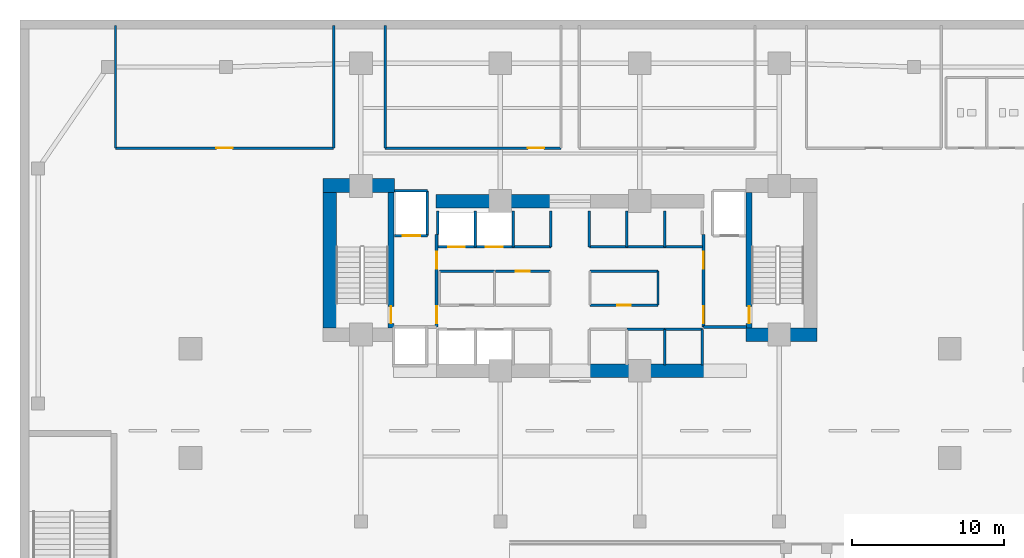
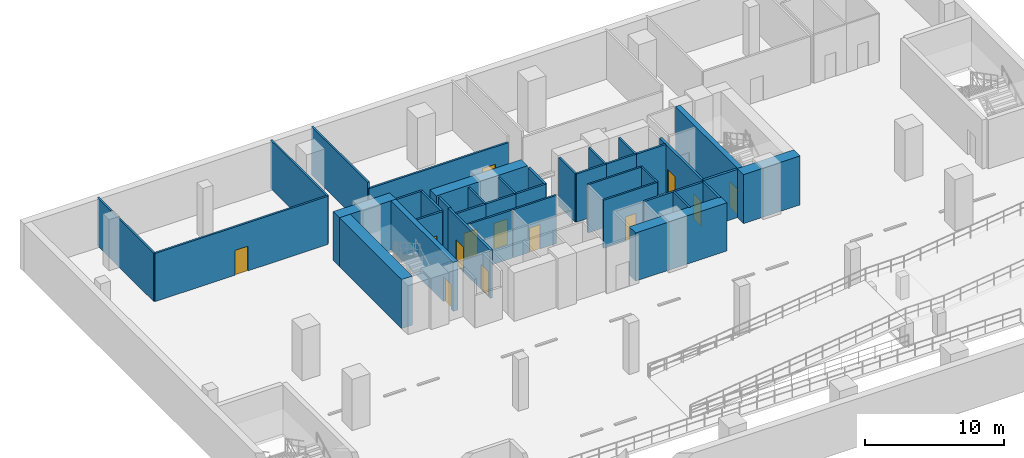
# One storey, part 5 of 13: 40 walls, 13 doors, 13 openings.
"""IFC4 building model written with IfcOpenShell, lengths in metres."""

from ifc_helpers import new_model, si_unit, direction, frame, frame_2d, origin, place, context, subcontext, project, spatial, rectangle, extrude, material, layer, layer_set, type_object, element, fill, save


model = new_model("IFC4")

# Units and contexts
model_context = context("Model", 3, precision=1e-05, world=origin(), true_north=direction((0.0, 1.0)))
body_context = subcontext(model_context, "Body", "Model", "MODEL_VIEW")
ifc_project = project(units=[si_unit("LENGTHUNIT", "METRE"), si_unit("AREAUNIT", "SQUARE_METRE"), si_unit("VOLUMEUNIT", "CUBIC_METRE"), si_unit("PLANEANGLEUNIT", "RADIAN"), si_unit("MASSUNIT", "GRAM", prefix="KILO")], contexts=[model_context])

# Site, building, storey
site_placement = place(None, origin())
site = spatial("IfcSite", under=ifc_project, at=site_placement, CompositionType="ELEMENT")
building_placement = place(site_placement, origin())
building = spatial("IfcBuilding", under=site, at=building_placement, Name="Zuhayl Quay Hotel", CompositionType="ELEMENT")
storey_placement = place(building_placement, frame((0.0, 0.0, -4.5)))
storey = spatial("IfcBuildingStorey", under=building, at=storey_placement, Name="B1", CompositionType="ELEMENT", Elevation=-4.5)

# Walls
ifc_material_1 = material(Name="Concrete C70/85", Category="concrete")
ifc_layer_1 = layer(ifc_material_1, 0.89990234375, Name="Concrete C70/85", Category="concrete")
ifc_layer_set_1 = layer_set([ifc_layer_1], Name="Concrete C70/85")
wall_type_1 = type_object("IfcWallType", Name="WL_CORE_900", PredefinedType="SHEAR", material=ifc_layer_set_1)
wall_1_placement = place(storey_placement, frame((-16.31005859375, 14.3798828125, 0.0), z_axis=(0.0, 0.0, 1.0), x_axis=(1.0, 0.0, 0.0)))
element("IfcWall", 1, at=wall_1_placement, inside=storey, type_object=wall_type_1, Name="B1 Core Shear Wall CW_NW", PredefinedType="SHEAR", context=body_context, shape_type="SweptSolid", body=[
    extrude(rectangle(XDim=4.7099609375, YDim=0.89990234375, at=frame_2d((2.35498046875, 0.0))), origin(), (0.0, 0.0, 1.0), 4.31005859375),
])
wall_2_placement = place(storey_placement, frame((-15.860107421875, 4.969970703125, 0.0), z_axis=(0.0, 0.0, 1.0), x_axis=(0.0, 1.0, 0.0)))
element("IfcWall", 2, at=wall_2_placement, inside=storey, type_object=wall_type_1, Name="B1 Core Shear Wall CW_W", PredefinedType="SHEAR", context=body_context, shape_type="SweptSolid", body=[
    extrude(rectangle(XDim=8.9599609375, YDim=0.89990234375, at=frame_2d((4.47998046875, 0.0))), origin(), (0.0, 0.0, 1.0), 4.31005859375),
])
wall_3_placement = place(storey_placement, frame((11.60009765625, 4.52001953125, 0.0), z_axis=(0.0, 0.0, 1.0), x_axis=(1.0, 0.0, 0.0)))
element("IfcWall", 3, at=wall_3_placement, inside=storey, type_object=wall_type_1, Name="B1 Core Shear Wall CW_SE", PredefinedType="SHEAR", context=body_context, shape_type="SweptSolid", body=[
    extrude(rectangle(XDim=4.7099609375, YDim=0.89990234375, at=frame_2d((2.35498046875, 0.0))), origin(), (0.0, 0.0, 1.0), 4.31005859375),
])
for number, where, z_axis, x_axis, name in (
    (4, (1.25, 2.14990234375, 0.0), (0.0, 0.0, 1.0), (1.0, 0.0, 0.0), "B1 Core Shear Wall CW_SC_E"),
    (5, (-8.85009765625, 13.35009765625, 0.0), (0.0, 0.0, 1.0), (1.0, 0.0, 0.0), "B1 Core Shear Wall CW_NC_W"),
):
    element("IfcWall", number, at=place(storey_placement, frame(where, z_axis=z_axis, x_axis=x_axis)), inside=storey, type_object=wall_type_1, Name=name, PredefinedType="SHEAR", context=body_context, shape_type="SweptSolid", body=[
        extrude(rectangle(XDim=7.60009765625, YDim=0.89990234375, at=frame_2d((3.800048828125, 0.0))), origin(), (0.0, 0.0, 1.0), 4.239990234375),
    ])

# Wall, opening, door
ifc_material_2 = material(Name="Acoustic Gypsum Partition STC-58")
ifc_layer_2 = layer(ifc_material_2, 0.14990234375, Name="Acoustic Gypsum Partition STC-58")
ifc_layer_set_2 = layer_set([ifc_layer_2], Name="Acoustic Gypsum Partition STC-58")
wall_type_2 = type_object("IfcWallType", Name="WL_PART_150", PredefinedType="PARTITIONING", material=ifc_layer_set_2)
wall_4_placement = place(storey_placement, frame((-4.929931640625, 8.719970703125, 0.0), z_axis=(0.0, 0.0, 1.0), x_axis=(1.0, 0.0, 0.0)))
wall_4 = element("IfcWall", 6, at=wall_4_placement, inside=storey, type_object=wall_type_2, Name="B1 Partition IW_B1_CORE_BM_N", PredefinedType="PARTITIONING", context=body_context, shape_type="SweptSolid", body=[
    extrude(rectangle(XDim=3.60986328125, YDim=0.14990234375, at=frame_2d((1.804931640625, 0.0))), origin(), (0.0, 0.0, 1.0), 4.239990234375),
])
opening_1_placement = place(wall_4_placement, frame((1.35498046875, 0.0, 0.0)))
opening_1 = element("IfcOpeningElement", 7, at=opening_1_placement, cuts=wall_4, Name="Opening D06", PredefinedType="OPENING", context=body_context, shape_type="SweptSolid", body=[
    extrude(rectangle(XDim=0.89990234375, YDim=2.14990234375, at=frame_2d((0.449951171875, 1.074951171875))), frame((0.0, 0.0849609375, 0.0), z_axis=(0.0, -1.0, 0.0), x_axis=(1.0, 0.0, 0.0)), (0.0, 0.0, 1.0), 0.169921875),
])
ifc_material_3 = material(Name="Steel ASTM A992 Grade 50", Category="steel")
door_type_1 = type_object("IfcDoorType", Name="DR_INT_900", OperationType="NOTDEFINED", PredefinedType="DOOR", material=ifc_material_3)
door_1_placement = place(opening_1_placement, origin())
door_1 = element("IfcDoor", 8, at=door_1_placement, inside=storey, type_object=door_type_1, Name="B1 Telecom and BMS Closet Door", OperationType="SINGLE_SWING_LEFT", OverallHeight=2.14990234375, OverallWidth=0.89990234375, PredefinedType="DOOR", context=body_context, shape_type="SweptSolid", body=[
    extrude(rectangle(XDim=0.89990234375, YDim=2.14990234375, at=frame_2d((0.449951171875, 1.074951171875))), frame((0.0, 0.02490234375, 0.0), z_axis=(0.0, -1.0, 0.0), x_axis=(1.0, 0.0, 0.0)), (0.0, 0.0, 1.0), 0.050048828125),
])
fill(opening_1, door_1)

wall_5_placement = place(storey_placement, frame((1.320068359375, 6.47998046875, 0.0), z_axis=(0.0, 0.0, 1.0), x_axis=(1.0, 0.0, 0.0)))
wall_5 = element("IfcWall", 9, at=wall_5_placement, inside=storey, type_object=wall_type_2, Name="B1 Partition IW_B1_CORE_PN_S", PredefinedType="PARTITIONING", context=body_context, shape_type="SweptSolid", body=[
    extrude(rectangle(XDim=4.489990234375, YDim=0.14990234375, at=frame_2d((2.2451171875, 0.0))), origin(), (0.0, 0.0, 1.0), 4.239990234375),
])
opening_2_placement = place(wall_5_placement, frame((1.794921875, 0.0, 0.0)))
opening_2 = element("IfcOpeningElement", 10, at=opening_2_placement, cuts=wall_5, Name="Opening D06", PredefinedType="OPENING", context=body_context, shape_type="SweptSolid", body=[
    extrude(rectangle(XDim=0.89990234375, YDim=2.14990234375, at=frame_2d((0.449951171875, 1.074951171875))), frame((0.0, 0.0849609375, 0.0), z_axis=(0.0, -1.0, 0.0), x_axis=(1.0, 0.0, 0.0)), (0.0, 0.0, 1.0), 0.169921875),
])
door_2_placement = place(opening_2_placement, origin())
door_2 = element("IfcDoor", 11, at=door_2_placement, inside=storey, type_object=door_type_1, Name="B1 Core Ice and Pantry Room Door", OperationType="SINGLE_SWING_RIGHT", OverallHeight=2.14990234375, OverallWidth=0.89990234375, PredefinedType="DOOR", context=body_context, shape_type="SweptSolid", body=[
    extrude(rectangle(XDim=0.89990234375, YDim=2.14990234375, at=frame_2d((0.449951171875, 1.074951171875))), frame((0.0, 0.02490234375, 0.0), z_axis=(0.0, -1.0, 0.0), x_axis=(1.0, 0.0, 0.0)), (0.0, 0.0, 1.0), 0.050048828125),
])
fill(opening_2, door_2)

# Walls
wall_6_placement = place(storey_placement, frame((-8.610107421875, 8.719970703125, 0.0), z_axis=(0.0, 0.0, 1.0), x_axis=(1.0, 0.0, 0.0)))
element("IfcWall", 12, at=wall_6_placement, inside=storey, type_object=wall_type_2, Name="B1 Partition IW_B1_CORE_SW_N", PredefinedType="PARTITIONING", context=body_context, shape_type="SweptSolid", body=[
    extrude(rectangle(XDim=3.6201171875, YDim=0.14990234375, at=frame_2d((1.81005859375, 0.0))), origin(), (0.0, 0.0, 1.0), 4.239990234375),
])
wall_7_placement = place(storey_placement, frame((1.320068359375, 8.719970703125, 0.0), z_axis=(0.0, 0.0, 1.0), x_axis=(1.0, 0.0, 0.0)))
element("IfcWall", 13, at=wall_7_placement, inside=storey, type_object=wall_type_2, Name="B1 Partition IW_B1_CORE_PN_N", PredefinedType="PARTITIONING", context=body_context, shape_type="SweptSolid", body=[
    extrude(rectangle(XDim=4.489990234375, YDim=0.14990234375, at=frame_2d((2.2451171875, 0.0))), origin(), (0.0, 0.0, 1.0), 4.239990234375),
])
wall_8_placement = place(storey_placement, frame((5.81005859375, 6.47998046875, 0.0), z_axis=(0.0, 0.0, 1.0), x_axis=(0.0, 1.0, 0.0)))
element("IfcWall", 14, at=wall_8_placement, inside=storey, type_object=wall_type_2, Name="B1 Partition IW_B1_CORE_PN_E", PredefinedType="PARTITIONING", context=body_context, shape_type="SweptSolid", body=[
    extrude(rectangle(XDim=2.239990234375, YDim=0.14990234375, at=frame_2d((1.1201171875, 0.0))), origin(), (0.0, 0.0, 1.0), 4.239990234375),
])
for number, where, z_axis, x_axis, name in (
    (15, (-30.0, 16.85009765625, 0.0), (0.0, 0.0, 1.0), (0.0, 1.0, 0.0), "B1 Partition IW_B1_LAUNDRY_W"),
    (16, (-15.60009765625, 16.85009765625, 0.0), (0.0, 0.0, 1.0), (0.0, 1.0, 0.0), "B1 Partition IW_B1_LAUNDRY_E"),
    (17, (-12.199951171875, 16.85009765625, 0.0), (0.0, 0.0, 1.0), (0.0, 1.0, 0.0), "B1 Partition IW_B1_KSTORE_W"),
):
    element("IfcWall", number, at=place(storey_placement, frame(where, z_axis=z_axis, x_axis=x_axis)), inside=storey, type_object=wall_type_2, Name=name, PredefinedType="PARTITIONING", context=body_context, shape_type="SweptSolid", body=[
        extrude(rectangle(XDim=8.08984375, YDim=0.14990234375, at=frame_2d((4.044921875, 0.0))), origin(), (0.0, 0.0, 1.0), 4.239990234375),
    ])

# Wall, opening, door
ifc_layer_3 = layer(ifc_material_2, 0.159912109375, Name="Acoustic Gypsum Partition STC-58")
ifc_layer_set_3 = layer_set([ifc_layer_3], Name="Acoustic Gypsum Partition STC-58")
wall_type_3 = type_object("IfcWallType", Name="WL_PART_CORR_160", PredefinedType="PARTITIONING", material=ifc_layer_set_3)
wall_9_placement = place(storey_placement, frame((-30.0, 16.85009765625, 0.0), z_axis=(0.0, 0.0, 1.0), x_axis=(1.0, 0.0, 0.0)))
wall_9 = element("IfcWall", 18, at=wall_9_placement, inside=storey, type_object=wall_type_3, Name="B1 Partition IW_B1_LAUNDRY_S", PredefinedType="PARTITIONING", context=body_context, shape_type="SweptSolid", body=[
    extrude(rectangle(XDim=14.39990234375, YDim=0.159912109375, at=frame_2d((7.199951171875, 0.0))), origin(), (0.0, 0.0, 1.0), 4.239990234375),
])
opening_3_placement = place(wall_9_placement, frame((6.659912109375, 0.0, 0.0)))
opening_3 = element("IfcOpeningElement", 19, at=opening_3_placement, cuts=wall_9, Name="Opening D05A", PredefinedType="OPENING", context=body_context, shape_type="SweptSolid", body=[
    extrude(rectangle(XDim=1.080078125, YDim=2.179931640625, at=frame_2d((0.5400390625, 1.08984375))), frame((0.0, 0.08984375, 0.0), z_axis=(0.0, -1.0, 0.0), x_axis=(1.0, 0.0, 0.0)), (0.0, 0.0, 1.0), 0.179931640625),
])
ifc_material_4 = material(Name="Solid Walnut Acoustic Fire Door")
door_type_2 = type_object("IfcDoorType", Name="DR_INT_1100", OperationType="NOTDEFINED", PredefinedType="DOOR", material=ifc_material_4)
door_3_placement = place(opening_3_placement, origin())
door_3 = element("IfcDoor", 20, at=door_3_placement, inside=storey, type_object=door_type_2, Name="B1 Central Hotel Laundry Plant Room Door", OperationType="SINGLE_SWING_RIGHT", OverallHeight=2.179931640625, OverallWidth=1.080078125, PredefinedType="DOOR", context=body_context, shape_type="SweptSolid", body=[
    extrude(rectangle(XDim=1.080078125, YDim=2.179931640625, at=frame_2d((0.5400390625, 1.08984375))), frame((0.0, 0.02490234375, 0.0), z_axis=(0.0, -1.0, 0.0), x_axis=(1.0, 0.0, 0.0)), (0.0, 0.0, 1.0), 0.050048828125),
])
fill(opening_3, door_3)

wall_10_placement = place(storey_placement, frame((-12.199951171875, 16.85009765625, 0.0), z_axis=(0.0, 0.0, 1.0), x_axis=(1.0, 0.0, 0.0)))
wall_10 = element("IfcWall", 21, at=wall_10_placement, inside=storey, type_object=wall_type_3, Name="B1 Partition IW_B1_KSTORE_S", PredefinedType="PARTITIONING", context=body_context, shape_type="SweptSolid", body=[
    extrude(rectangle(XDim=11.599853515625, YDim=0.159912109375, at=frame_2d((5.7998046875, 0.0))), origin(), (0.0, 0.0, 1.0), 3.70703125),
])
opening_4_placement = place(wall_10_placement, frame((9.409912109375, 0.0, 0.0)))
opening_4 = element("IfcOpeningElement", 22, at=opening_4_placement, cuts=wall_10, Name="Opening D05A", PredefinedType="OPENING", context=body_context, shape_type="SweptSolid", body=[
    extrude(rectangle(XDim=1.080078125, YDim=2.179931640625, at=frame_2d((0.5400390625, 1.08984375))), frame((0.0, 0.08984375, 0.0), z_axis=(0.0, -1.0, 0.0), x_axis=(1.0, 0.0, 0.0)), (0.0, 0.0, 1.0), 0.179931640625),
])
door_4_placement = place(opening_4_placement, origin())
door_4 = element("IfcDoor", 23, at=door_4_placement, inside=storey, type_object=door_type_2, Name="B1 Culinary Cold and Dry Stores Door", OperationType="SINGLE_SWING_LEFT", OverallHeight=2.179931640625, OverallWidth=1.080078125, PredefinedType="DOOR", context=body_context, shape_type="SweptSolid", body=[
    extrude(rectangle(XDim=1.080078125, YDim=2.179931640625, at=frame_2d((0.5400390625, 1.08984375))), frame((0.0, 0.02490234375, 0.0), z_axis=(0.0, -1.0, 0.0), x_axis=(1.0, 0.0, 0.0)), (0.0, 0.0, 1.0), 0.050048828125),
])
fill(opening_4, door_4)

ifc_material_5 = material(Name="Gypsum Fireboard Assembly EI-90")
ifc_layer_4 = layer(ifc_material_5, 0.1650390625, Name="Gypsum Fireboard Assembly EI-90")
ifc_layer_set_4 = layer_set([ifc_layer_4], Name="Gypsum Fireboard Assembly EI-90")
wall_type_4 = type_object("IfcWallType", Name="WL_PART_SHAFT_160", PredefinedType="PARTITIONING", material=ifc_layer_set_4)
wall_11_placement = place(storey_placement, frame((-11.580078125, 11.070068359375, 0.0), z_axis=(0.0, 0.0, 1.0), x_axis=(1.0, 0.0, 0.0)))
wall_11 = element("IfcWall", 24, at=wall_11_placement, inside=storey, type_object=wall_type_4, Name="B1 Partition IW_B1_SH_FL1_F", PredefinedType="PARTITIONING", context=body_context, shape_type="SweptSolid", body=[
    extrude(rectangle(XDim=2.16015625, YDim=0.1650390625, at=frame_2d((1.080078125, 0.0))), origin(), (0.0, 0.0, 1.0), 4.239990234375),
])
opening_5_placement = place(wall_11_placement, frame((0.530029296875, 0.0, 0.0)))
opening_5 = element("IfcOpeningElement", 25, at=opening_5_placement, cuts=wall_11, Name="Opening LD2", PredefinedType="OPENING", context=body_context, shape_type="SweptSolid", body=[
    extrude(rectangle(XDim=1.14990234375, YDim=2.25, at=frame_2d((0.574951171875, 1.125))), frame((0.0, 0.092529296875, 0.0), z_axis=(0.0, -1.0, 0.0), x_axis=(1.0, 0.0, 0.0)), (0.0, 0.0, 1.0), 0.18505859375),
])
ifc_material_6 = material(Name="Brushed Stainless Steel", Category="steel")
door_type_3 = type_object("IfcDoorType", Name="DR_LIFT_FF_1100", OperationType="SLIDING_TO_LEFT", PredefinedType="DOOR", material=ifc_material_6)
door_5_placement = place(opening_5_placement, origin())
door_5 = element("IfcDoor", 26, at=door_5_placement, inside=storey, type_object=door_type_3, Name="B1 Lift FL1 Sliding Landing Door", OperationType="SLIDING_TO_LEFT", OverallHeight=2.25, OverallWidth=1.14990234375, PredefinedType="DOOR", context=body_context, shape_type="SweptSolid", body=[
    extrude(rectangle(XDim=1.14990234375, YDim=2.25, at=frame_2d((0.574951171875, 1.125))), frame((0.0, 0.02490234375, 0.0), z_axis=(0.0, -1.0, 0.0), x_axis=(1.0, 0.0, 0.0)), (0.0, 0.0, 1.0), 0.050048828125),
])
fill(opening_5, door_5)

wall_12_placement = place(storey_placement, frame((-8.72998046875, 10.320068359375, 0.0), z_axis=(0.0, 0.0, 1.0), x_axis=(1.0, 0.0, 0.0)))
wall_12 = element("IfcWall", 27, at=wall_12_placement, inside=storey, type_object=wall_type_4, Name="B1 Partition IW_B1_SH_LP3_F", PredefinedType="PARTITIONING", context=body_context, shape_type="SweptSolid", body=[
    extrude(rectangle(XDim=2.47998046875, YDim=0.1650390625, at=frame_2d((1.239990234375, 0.0))), origin(), (0.0, 0.0, 1.0), 4.239990234375),
])
opening_6_placement = place(wall_12_placement, frame((0.68994140625, 0.0, 0.0)))
opening_6 = element("IfcOpeningElement", 28, at=opening_6_placement, cuts=wall_12, Name="Opening LD1", PredefinedType="OPENING", context=body_context, shape_type="SweptSolid", body=[
    extrude(rectangle(XDim=1.10009765625, YDim=2.25, at=frame_2d((0.550048828125, 1.125))), frame((0.0, 0.092529296875, 0.0), z_axis=(0.0, -1.0, 0.0), x_axis=(1.0, 0.0, 0.0)), (0.0, 0.0, 1.0), 0.18505859375),
])
door_type_4 = type_object("IfcDoorType", Name="DR_LIFT_PASS_1100", OperationType="SLIDING_TO_LEFT", PredefinedType="DOOR", material=ifc_material_6)
door_6_placement = place(opening_6_placement, origin())
door_6 = element("IfcDoor", 29, at=door_6_placement, inside=storey, type_object=door_type_4, Name="B1 Lift LP3 Sliding Landing Door", OperationType="SLIDING_TO_LEFT", OverallHeight=2.25, OverallWidth=1.10009765625, PredefinedType="DOOR", context=body_context, shape_type="SweptSolid", body=[
    extrude(rectangle(XDim=1.10009765625, YDim=2.25, at=frame_2d((0.550048828125, 1.125))), frame((0.0, 0.02490234375, 0.0), z_axis=(0.0, -1.0, 0.0), x_axis=(1.0, 0.0, 0.0)), (0.0, 0.0, 1.0), 0.050048828125),
])
fill(opening_6, door_6)

wall_13_placement = place(storey_placement, frame((-6.25, 10.320068359375, 0.0), z_axis=(0.0, 0.0, 1.0), x_axis=(1.0, 0.0, 0.0)))
wall_13 = element("IfcWall", 30, at=wall_13_placement, inside=storey, type_object=wall_type_4, Name="B1 Partition IW_B1_SH_LP4_F", PredefinedType="PARTITIONING", context=body_context, shape_type="SweptSolid", body=[
    extrude(rectangle(XDim=2.5, YDim=0.1650390625, at=frame_2d((1.25, 0.0))), origin(), (0.0, 0.0, 1.0), 4.239990234375),
])
opening_7_placement = place(wall_13_placement, frame((0.699951171875, 0.0, 0.0)))
opening_7 = element("IfcOpeningElement", 31, at=opening_7_placement, cuts=wall_13, Name="Opening LD1", PredefinedType="OPENING", context=body_context, shape_type="SweptSolid", body=[
    extrude(rectangle(XDim=1.10009765625, YDim=2.25, at=frame_2d((0.550048828125, 1.125))), frame((0.0, 0.092529296875, 0.0), z_axis=(0.0, -1.0, 0.0), x_axis=(1.0, 0.0, 0.0)), (0.0, 0.0, 1.0), 0.18505859375),
])
door_7_placement = place(opening_7_placement, origin())
door_7 = element("IfcDoor", 32, at=door_7_placement, inside=storey, type_object=door_type_4, Name="B1 Lift LP4 Sliding Landing Door", OperationType="SLIDING_TO_LEFT", OverallHeight=2.25, OverallWidth=1.10009765625, PredefinedType="DOOR", context=body_context, shape_type="SweptSolid", body=[
    extrude(rectangle(XDim=1.10009765625, YDim=2.25, at=frame_2d((0.550048828125, 1.125))), frame((0.0, 0.02490234375, 0.0), z_axis=(0.0, -1.0, 0.0), x_axis=(1.0, 0.0, 0.0)), (0.0, 0.0, 1.0), 0.050048828125),
])
fill(opening_7, door_7)

# Walls
wall_14_placement = place(storey_placement, frame((-9.419921875, 11.070068359375, 0.0), z_axis=(0.0, 0.0, 1.0), x_axis=(0.0, 1.0, 0.0)))
element("IfcWall", 33, at=wall_14_placement, inside=storey, type_object=wall_type_4, Name="B1 Partition IW_B1_SH_FL1_E", PredefinedType="PARTITIONING", context=body_context, shape_type="SweptSolid", body=[
    extrude(rectangle(XDim=2.9599609375, YDim=0.1650390625, at=frame_2d((1.47998046875, 0.0))), origin(), (0.0, 0.0, 1.0), 4.239990234375),
])
wall_15_placement = place(storey_placement, frame((-11.580078125, 14.030029296875, 0.0), z_axis=(0.0, 0.0, 1.0), x_axis=(1.0, 0.0, 0.0)))
element("IfcWall", 34, at=wall_15_placement, inside=storey, type_object=wall_type_4, Name="B1 Partition IW_B1_SH_FL1_B", PredefinedType="PARTITIONING", context=body_context, shape_type="SweptSolid", body=[
    extrude(rectangle(XDim=2.16015625, YDim=0.1650390625, at=frame_2d((1.080078125, 0.0))), origin(), (0.0, 0.0, 1.0), 4.239990234375),
])
wall_16_placement = place(storey_placement, frame((-8.72998046875, 11.14990234375, 0.0), z_axis=(0.0, 0.0, 1.0), x_axis=(0.0, 1.0, 0.0)))
element("IfcWall", 35, at=wall_16_placement, inside=storey, type_object=wall_type_4, Name="B1 Partition IW_B1_SH_LP3_W", PredefinedType="PARTITIONING", context=body_context, shape_type="SweptSolid", body=[
    extrude(rectangle(XDim=1.530029296875, YDim=0.1650390625, at=frame_2d((0.76513671875, 0.0))), origin(), (0.0, 0.0, 1.0), 4.239990234375),
])
for number, where, z_axis, x_axis, name in (
    (36, (-6.25, 10.320068359375, 0.0), (0.0, 0.0, 1.0), (0.0, 1.0, 0.0), "B1 Partition IW_B1_SH_LP3_E"),
    (37, (-3.75, 10.320068359375, 0.0), (0.0, 0.0, 1.0), (0.0, 1.0, 0.0), "B1 Partition IW_B1_SH_LP4_E"),
):
    element("IfcWall", number, at=place(storey_placement, frame(where, z_axis=z_axis, x_axis=x_axis)), inside=storey, type_object=wall_type_4, Name=name, PredefinedType="PARTITIONING", context=body_context, shape_type="SweptSolid", body=[
        extrude(rectangle(XDim=2.35986328125, YDim=0.1650390625, at=frame_2d((1.179931640625, 0.0))), origin(), (0.0, 0.0, 1.0), 4.239990234375),
    ])
wall_17_placement = place(storey_placement, frame((-3.75, 10.320068359375, 0.0), z_axis=(0.0, 0.0, 1.0), x_axis=(1.0, 0.0, 0.0)))
element("IfcWall", 38, at=wall_17_placement, inside=storey, type_object=wall_type_4, Name="B1 Partition IW_B1_SH_MP3_F", PredefinedType="PARTITIONING", context=body_context, shape_type="SweptSolid", body=[
    extrude(rectangle(XDim=2.47998046875, YDim=0.1650390625, at=frame_2d((1.239990234375, 0.0))), origin(), (0.0, 0.0, 1.0), 4.239990234375),
])
wall_18_placement = place(storey_placement, frame((-1.27001953125, 10.320068359375, 0.0), z_axis=(0.0, 0.0, 1.0), x_axis=(0.0, 1.0, 0.0)))
element("IfcWall", 39, at=wall_18_placement, inside=storey, type_object=wall_type_4, Name="B1 Partition IW_B1_SH_MP3_E", PredefinedType="PARTITIONING", context=body_context, shape_type="SweptSolid", body=[
    extrude(rectangle(XDim=2.35986328125, YDim=0.1650390625, at=frame_2d((1.179931640625, 0.0))), origin(), (0.0, 0.0, 1.0), 4.239990234375),
])
wall_19_placement = place(storey_placement, frame((1.27001953125, 10.320068359375, 0.0), z_axis=(0.0, 0.0, 1.0), x_axis=(1.0, 0.0, 0.0)))
element("IfcWall", 40, at=wall_19_placement, inside=storey, type_object=wall_type_4, Name="B1 Partition IW_B1_SH_MP4_F", PredefinedType="PARTITIONING", context=body_context, shape_type="SweptSolid", body=[
    extrude(rectangle(XDim=2.47998046875, YDim=0.1650390625, at=frame_2d((1.239990234375, 0.0))), origin(), (0.0, 0.0, 1.0), 4.239990234375),
])
for number, where, z_axis, x_axis, name in (
    (41, (1.27001953125, 10.320068359375, 0.0), (0.0, 0.0, 1.0), (0.0, 1.0, 0.0), "B1 Partition IW_B1_SH_MP4_W"),
    (42, (3.75, 10.320068359375, 0.0), (0.0, 0.0, 1.0), (0.0, 1.0, 0.0), "B1 Partition IW_B1_SH_MP4_E"),
):
    element("IfcWall", number, at=place(storey_placement, frame(where, z_axis=z_axis, x_axis=x_axis)), inside=storey, type_object=wall_type_4, Name=name, PredefinedType="PARTITIONING", context=body_context, shape_type="SweptSolid", body=[
        extrude(rectangle(XDim=2.35986328125, YDim=0.1650390625, at=frame_2d((1.179931640625, 0.0))), origin(), (0.0, 0.0, 1.0), 4.239990234375),
    ])
wall_20_placement = place(storey_placement, frame((3.75, 4.8798828125, 0.0), z_axis=(0.0, 0.0, 1.0), x_axis=(1.0, 0.0, 0.0)))
element("IfcWall", 43, at=wall_20_placement, inside=storey, type_object=wall_type_4, Name="B1 Partition IW_B1_SH_HP1_F", PredefinedType="PARTITIONING", context=body_context, shape_type="SweptSolid", body=[
    extrude(rectangle(XDim=2.5, YDim=0.1650390625, at=frame_2d((1.25, 0.0))), origin(), (0.0, 0.0, 1.0), 4.239990234375),
])
wall_21_placement = place(storey_placement, frame((6.25, 2.52001953125, 0.0), z_axis=(0.0, 0.0, 1.0), x_axis=(0.0, 1.0, 0.0)))
element("IfcWall", 44, at=wall_21_placement, inside=storey, type_object=wall_type_4, Name="B1 Partition IW_B1_SH_HP1_E", PredefinedType="PARTITIONING", context=body_context, shape_type="SweptSolid", body=[
    extrude(rectangle(XDim=2.35986328125, YDim=0.1650390625, at=frame_2d((1.179931640625, 0.0))), origin(), (0.0, 0.0, 1.0), 4.239990234375),
])
wall_22_placement = place(storey_placement, frame((6.25, 4.8798828125, 0.0), z_axis=(0.0, 0.0, 1.0), x_axis=(1.0, 0.0, 0.0)))
element("IfcWall", 45, at=wall_22_placement, inside=storey, type_object=wall_type_4, Name="B1 Partition IW_B1_SH_HP2_F", PredefinedType="PARTITIONING", context=body_context, shape_type="SweptSolid", body=[
    extrude(rectangle(XDim=2.47998046875, YDim=0.1650390625, at=frame_2d((1.239990234375, 0.0))), origin(), (0.0, 0.0, 1.0), 4.239990234375),
])
wall_23_placement = place(storey_placement, frame((8.72998046875, 2.52001953125, 0.0), z_axis=(0.0, 0.0, 1.0), x_axis=(0.0, 1.0, 0.0)))
element("IfcWall", 46, at=wall_23_placement, inside=storey, type_object=wall_type_4, Name="B1 Partition IW_B1_SH_HP2_E", PredefinedType="PARTITIONING", context=body_context, shape_type="SweptSolid", body=[
    extrude(rectangle(XDim=2.35986328125, YDim=0.1650390625, at=frame_2d((1.179931640625, 0.0))), origin(), (0.0, 0.0, 1.0), 4.239990234375),
])
wall_24_placement = place(storey_placement, frame((3.75, 10.320068359375, 0.0), z_axis=(0.0, 0.0, 1.0), x_axis=(1.0, 0.0, 0.0)))
element("IfcWall", 47, at=wall_24_placement, inside=storey, type_object=wall_type_4, Name="B1 Partition IW_B1_SH_HP3_F", PredefinedType="PARTITIONING", context=body_context, shape_type="SweptSolid", body=[
    extrude(rectangle(XDim=2.5, YDim=0.1650390625, at=frame_2d((1.25, 0.0))), origin(), (0.0, 0.0, 1.0), 4.239990234375),
])
wall_25_placement = place(storey_placement, frame((6.25, 10.320068359375, 0.0), z_axis=(0.0, 0.0, 1.0), x_axis=(0.0, 1.0, 0.0)))
element("IfcWall", 48, at=wall_25_placement, inside=storey, type_object=wall_type_4, Name="B1 Partition IW_B1_SH_HP3_E", PredefinedType="PARTITIONING", context=body_context, shape_type="SweptSolid", body=[
    extrude(rectangle(XDim=2.35986328125, YDim=0.1650390625, at=frame_2d((1.179931640625, 0.0))), origin(), (0.0, 0.0, 1.0), 4.239990234375),
])
wall_26_placement = place(storey_placement, frame((6.25, 10.320068359375, 0.0), z_axis=(0.0, 0.0, 1.0), x_axis=(1.0, 0.0, 0.0)))
element("IfcWall", 49, at=wall_26_placement, inside=storey, type_object=wall_type_4, Name="B1 Partition IW_B1_SH_HP4_F", PredefinedType="PARTITIONING", context=body_context, shape_type="SweptSolid", body=[
    extrude(rectangle(XDim=2.47998046875, YDim=0.1650390625, at=frame_2d((1.239990234375, 0.0))), origin(), (0.0, 0.0, 1.0), 4.239990234375),
])

# Wall, openings, doors
ifc_material_7 = material(Name="Gypsum Fireboard Assembly EI-120")
ifc_layer_5 = layer(ifc_material_7, 0.199951171875, Name="Gypsum Fireboard Assembly EI-120")
ifc_layer_set_5 = layer_set([ifc_layer_5], Name="Gypsum Fireboard Assembly EI-120")
wall_type_5 = type_object("IfcWallType", Name="WL_PART_SHAFT_200", PredefinedType="PARTITIONING", material=ifc_layer_set_5)
wall_27_placement = place(storey_placement, frame((-8.800048828125, 5.050048828125, 0.0), z_axis=(0.0, 0.0, 1.0), x_axis=(0.0, 1.0, 0.0)))
wall_27 = element("IfcWall", 50, at=wall_27_placement, inside=storey, type_object=wall_type_5, Name="B1 Partition IW_B1_FSAE_W_E", PredefinedType="PARTITIONING", context=body_context, shape_type="SweptSolid", body=[
    extrude(rectangle(XDim=6.099853515625, YDim=0.199951171875, at=frame_2d((3.0498046875, 0.0))), origin(), (0.0, 0.0, 1.0), 4.239990234375),
])
opening_8_placement = place(wall_27_placement, frame((0.25, 0.0, 0.0)))
opening_8 = element("IfcOpeningElement", 51, at=opening_8_placement, cuts=wall_27, Name="Opening D02", PredefinedType="OPENING", context=body_context, shape_type="SweptSolid", body=[
    extrude(rectangle(XDim=1.10009765625, YDim=2.199951171875, at=frame_2d((0.550048828125, 1.10009765625))), frame((0.0, 0.10986328125, 0.0), z_axis=(0.0, -1.0, 0.0), x_axis=(1.0, 0.0, 0.0)), (0.0, 0.0, 1.0), 0.219970703125),
])
opening_9_placement = place(wall_27_placement, frame((3.85009765625, 0.0, 0.0)))
opening_9 = element("IfcOpeningElement", 52, at=opening_9_placement, cuts=wall_27, Name="Opening D02", PredefinedType="OPENING", context=body_context, shape_type="SweptSolid", body=[
    extrude(rectangle(XDim=1.10009765625, YDim=2.199951171875, at=frame_2d((0.550048828125, 1.10009765625))), frame((0.0, 0.10986328125, 0.0), z_axis=(0.0, -1.0, 0.0), x_axis=(1.0, 0.0, 0.0)), (0.0, 0.0, 1.0), 0.219970703125),
])
door_type_5 = type_object("IfcDoorType", Name="DR_FIRE_90_1100", OperationType="NOTDEFINED", PredefinedType="DOOR", material=ifc_material_3)
door_8_placement = place(opening_8_placement, origin())
door_8 = element("IfcDoor", 53, at=door_8_placement, inside=storey, type_object=door_type_5, Name="B1 FSAE Lobby West South Entry Door", OperationType="SINGLE_SWING_RIGHT", OverallHeight=2.199951171875, OverallWidth=1.10009765625, PredefinedType="DOOR", context=body_context, shape_type="SweptSolid", body=[
    extrude(rectangle(XDim=1.10009765625, YDim=2.199951171875, at=frame_2d((0.550048828125, 1.10009765625))), frame((0.0, 0.02490234375, 0.0), z_axis=(0.0, -1.0, 0.0), x_axis=(1.0, 0.0, 0.0)), (0.0, 0.0, 1.0), 0.050048828125),
])
fill(opening_8, door_8)
door_9_placement = place(opening_9_placement, origin())
door_9 = element("IfcDoor", 54, at=door_9_placement, inside=storey, type_object=door_type_5, Name="B1 FSAE Lobby West North Entry Door", OperationType="SINGLE_SWING_LEFT", OverallHeight=2.199951171875, OverallWidth=1.10009765625, PredefinedType="DOOR", context=body_context, shape_type="SweptSolid", body=[
    extrude(rectangle(XDim=1.10009765625, YDim=2.199951171875, at=frame_2d((0.550048828125, 1.10009765625))), frame((0.0, 0.02490234375, 0.0), z_axis=(0.0, -1.0, 0.0), x_axis=(1.0, 0.0, 0.0)), (0.0, 0.0, 1.0), 0.050048828125),
])
fill(opening_9, door_9)

wall_28_placement = place(storey_placement, frame((8.800048828125, 11.14990234375, 0.0), z_axis=(0.0, 0.0, 1.0), x_axis=(0.0, -1.0, 0.0)))
wall_28 = element("IfcWall", 55, at=wall_28_placement, inside=storey, type_object=wall_type_5, Name="B1 Partition IW_B1_FSAE_E_W", PredefinedType="PARTITIONING", context=body_context, shape_type="SweptSolid", body=[
    extrude(rectangle(XDim=6.099853515625, YDim=0.199951171875, at=frame_2d((3.0498046875, 0.0))), origin(), (0.0, 0.0, 1.0), 4.239990234375),
])
opening_10_placement = place(wall_28_placement, frame((1.14990234375, 0.0, 0.0)))
opening_10 = element("IfcOpeningElement", 56, at=opening_10_placement, cuts=wall_28, Name="Opening D02", PredefinedType="OPENING", context=body_context, shape_type="SweptSolid", body=[
    extrude(rectangle(XDim=1.10009765625, YDim=2.199951171875, at=frame_2d((0.550048828125, 1.10009765625))), frame((0.0, 0.10986328125, 0.0), z_axis=(0.0, -1.0, 0.0), x_axis=(1.0, 0.0, 0.0)), (0.0, 0.0, 1.0), 0.219970703125),
])
opening_11_placement = place(wall_28_placement, frame((4.75, 0.0, 0.0)))
opening_11 = element("IfcOpeningElement", 57, at=opening_11_placement, cuts=wall_28, Name="Opening D02", PredefinedType="OPENING", context=body_context, shape_type="SweptSolid", body=[
    extrude(rectangle(XDim=1.10009765625, YDim=2.199951171875, at=frame_2d((0.550048828125, 1.10009765625))), frame((0.0, 0.10986328125, 0.0), z_axis=(0.0, -1.0, 0.0), x_axis=(1.0, 0.0, 0.0)), (0.0, 0.0, 1.0), 0.219970703125),
])
door_10_placement = place(opening_10_placement, origin())
door_10 = element("IfcDoor", 58, at=door_10_placement, inside=storey, type_object=door_type_5, Name="B1 FSAE Lobby East North Entry Door", OperationType="SINGLE_SWING_RIGHT", OverallHeight=2.199951171875, OverallWidth=1.10009765625, PredefinedType="DOOR", context=body_context, shape_type="SweptSolid", body=[
    extrude(rectangle(XDim=1.10009765625, YDim=2.199951171875, at=frame_2d((0.550048828125, 1.10009765625))), frame((0.0, 0.02490234375, 0.0), z_axis=(0.0, -1.0, 0.0), x_axis=(1.0, 0.0, 0.0)), (0.0, 0.0, 1.0), 0.050048828125),
])
fill(opening_10, door_10)
door_11_placement = place(opening_11_placement, origin())
door_11 = element("IfcDoor", 59, at=door_11_placement, inside=storey, type_object=door_type_5, Name="B1 FSAE Lobby East South Entry Door", OperationType="SINGLE_SWING_LEFT", OverallHeight=2.199951171875, OverallWidth=1.10009765625, PredefinedType="DOOR", context=body_context, shape_type="SweptSolid", body=[
    extrude(rectangle(XDim=1.10009765625, YDim=2.199951171875, at=frame_2d((0.550048828125, 1.10009765625))), frame((0.0, 0.02490234375, 0.0), z_axis=(0.0, -1.0, 0.0), x_axis=(1.0, 0.0, 0.0)), (0.0, 0.0, 1.0), 0.050048828125),
])
fill(opening_11, door_11)

# Wall
wall_29_placement = place(storey_placement, frame((8.800048828125, 5.050048828125, 0.0), z_axis=(0.0, 0.0, 1.0), x_axis=(1.0, 0.0, 0.0)))
element("IfcWall", 60, at=wall_29_placement, inside=storey, type_object=wall_type_5, Name="B1 Partition IW_B1_FSAE_E_S", PredefinedType="PARTITIONING", context=body_context, shape_type="SweptSolid", body=[
    extrude(rectangle(XDim=2.849853515625, YDim=0.199951171875, at=frame_2d((1.4248046875, 0.0))), origin(), (0.0, 0.0, 1.0), 4.239990234375),
])

# Wall, opening, door
ifc_material_8 = material(Name="Concrete C60/75", Category="concrete")
ifc_layer_6 = layer(ifc_material_8, 0.39990234375, Name="Concrete C60/75", Category="concrete")
ifc_layer_set_6 = layer_set([ifc_layer_6], Name="Concrete C60/75")
wall_type_6 = type_object("IfcWallType", Name="WL_STAIR_400", PredefinedType="SHEAR", material=ifc_layer_set_6)
wall_30_placement = place(storey_placement, frame((-11.820068359375, 4.969970703125, 0.0), z_axis=(0.0, 0.0, 1.0), x_axis=(0.0, 1.0, 0.0)))
wall_30 = element("IfcWall", 61, at=wall_30_placement, inside=storey, type_object=wall_type_6, Name="B1 Core Shear Wall SW_ST1", PredefinedType="SHEAR", context=body_context, shape_type="SweptSolid", body=[
    extrude(rectangle(XDim=8.9599609375, YDim=0.39990234375, at=frame_2d((4.47998046875, 0.0))), origin(), (0.0, 0.0, 1.0), 4.31005859375),
])
opening_12_placement = place(wall_30_placement, frame((0.31005859375, 0.0, 0.0)))
opening_12 = element("IfcOpeningElement", 62, at=opening_12_placement, cuts=wall_30, Name="Opening D01", PredefinedType="OPENING", context=body_context, shape_type="SweptSolid", body=[
    extrude(rectangle(XDim=1.1201171875, YDim=2.219970703125, at=frame_2d((0.56005859375, 1.10986328125))), frame((0.0, 0.2099609375, 0.0), z_axis=(0.0, -1.0, 0.0), x_axis=(1.0, 0.0, 0.0)), (0.0, 0.0, 1.0), 0.419921875),
])
door_type_6 = type_object("IfcDoorType", Name="DR_STAIR_90_1100", OperationType="NOTDEFINED", PredefinedType="DOOR", material=ifc_material_3)
door_12_placement = place(opening_12_placement, origin())
door_12 = element("IfcDoor", 63, at=door_12_placement, inside=storey, type_object=door_type_6, Name="B1 Smokeproof Exit Stair ST1 Door", OperationType="SINGLE_SWING_LEFT", OverallHeight=2.219970703125, OverallWidth=1.1201171875, PredefinedType="DOOR", context=body_context, shape_type="SweptSolid", body=[
    extrude(rectangle(XDim=1.1201171875, YDim=2.219970703125, at=frame_2d((0.56005859375, 1.10986328125))), frame((0.0, 0.02490234375, 0.0), z_axis=(0.0, -1.0, 0.0), x_axis=(1.0, 0.0, 0.0)), (0.0, 0.0, 1.0), 0.050048828125),
])
fill(opening_12, door_12)

wall_31_placement = place(storey_placement, frame((11.820068359375, 13.929931640625, 0.0), z_axis=(0.0, 0.0, 1.0), x_axis=(0.0, -1.0, 0.0)))
wall_31 = element("IfcWall", 64, at=wall_31_placement, inside=storey, type_object=wall_type_6, Name="B1 Core Shear Wall SW_ST2", PredefinedType="SHEAR", context=body_context, shape_type="SweptSolid", body=[
    extrude(rectangle(XDim=8.9599609375, YDim=0.39990234375, at=frame_2d((4.47998046875, 0.0))), origin(), (0.0, 0.0, 1.0), 4.31005859375),
])
opening_13_placement = place(wall_31_placement, frame((7.530029296875, 0.0, 0.0)))
opening_13 = element("IfcOpeningElement", 65, at=opening_13_placement, cuts=wall_31, Name="Opening D01", PredefinedType="OPENING", context=body_context, shape_type="SweptSolid", body=[
    extrude(rectangle(XDim=1.1201171875, YDim=2.219970703125, at=frame_2d((0.56005859375, 1.10986328125))), frame((0.0, 0.2099609375, 0.0), z_axis=(0.0, -1.0, 0.0), x_axis=(1.0, 0.0, 0.0)), (0.0, 0.0, 1.0), 0.419921875),
])
door_13_placement = place(opening_13_placement, origin())
door_13 = element("IfcDoor", 66, at=door_13_placement, inside=storey, type_object=door_type_6, Name="B1 Smokeproof Exit Stair ST2 Door", OperationType="SINGLE_SWING_RIGHT", OverallHeight=2.219970703125, OverallWidth=1.1201171875, PredefinedType="DOOR", context=body_context, shape_type="SweptSolid", body=[
    extrude(rectangle(XDim=1.1201171875, YDim=2.219970703125, at=frame_2d((0.56005859375, 1.10986328125))), frame((0.0, 0.02490234375, 0.0), z_axis=(0.0, -1.0, 0.0), x_axis=(1.0, 0.0, 0.0)), (0.0, 0.0, 1.0), 0.050048828125),
])
fill(opening_13, door_13)

save(model, "model.ifc")
